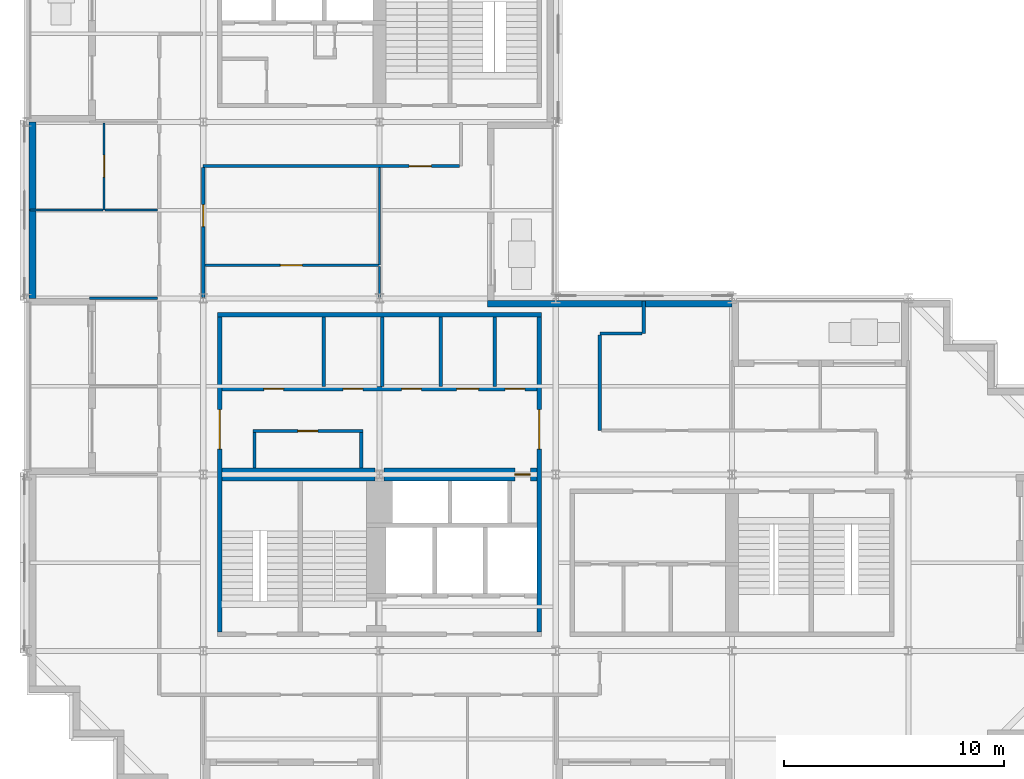
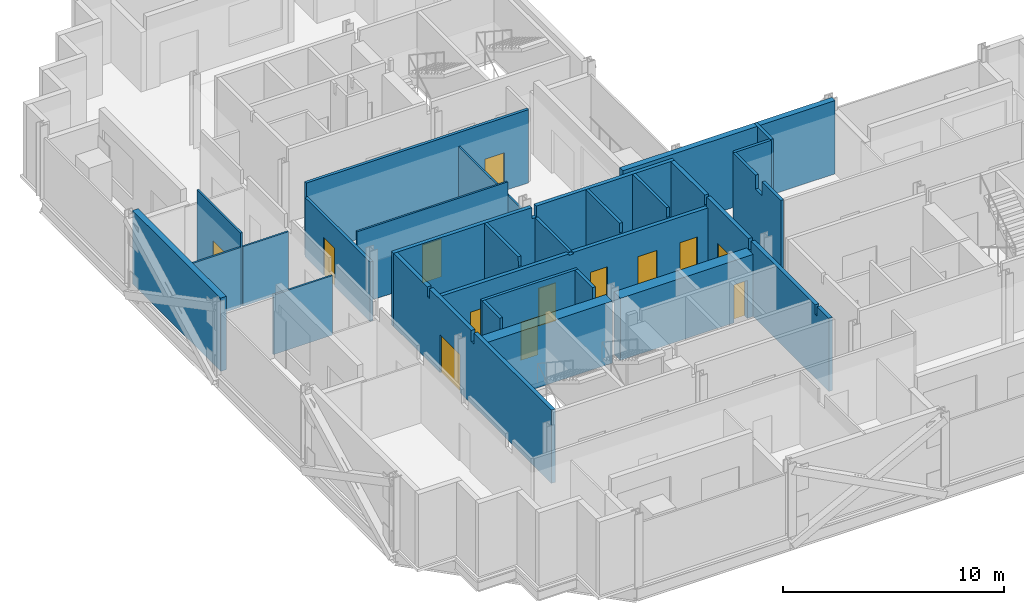
# One storey, part 6 of 12: 27 walls, 13 doors, 13 openings.
"""IFC4 building model written with IfcOpenShell, lengths in metres."""

from ifc_helpers import new_model, si_unit, direction, frame, frame_2d, origin, place, context, subcontext, project, spatial, polyline, rectangle, outline, extrude, material, layer, layer_set, type_object, element, fill, save


model = new_model("IFC4")

# Units and contexts
model_context = context("Model", 3, precision=1e-05, world=origin(), true_north=direction((0.0, 1.0)))
body_context = subcontext(model_context, "Body", "Model", "MODEL_VIEW")
ifc_project = project(units=[si_unit("LENGTHUNIT", "METRE"), si_unit("AREAUNIT", "SQUARE_METRE"), si_unit("VOLUMEUNIT", "CUBIC_METRE"), si_unit("PLANEANGLEUNIT", "RADIAN"), si_unit("MASSUNIT", "GRAM", prefix="KILO")], contexts=[model_context])

# Site, building, storey
site_placement = place(None, origin())
site = spatial("IfcSite", under=ifc_project, at=site_placement, CompositionType="ELEMENT")
building_placement = place(site_placement, origin())
building = spatial("IfcBuilding", under=site, at=building_placement, Name="Immortelle Media Tower", CompositionType="ELEMENT")
storey_placement = place(building_placement, frame((0.0, 0.0, 145.199951171875)))
storey = spatial("IfcBuildingStorey", under=building, at=storey_placement, Name="L29", CompositionType="ELEMENT", Elevation=145.199951171875)

# Wall, opening, door
ifc_material_1 = material(Name="Fire-rated masonry blockwork", Category="masonry")
ifc_layer_1 = layer(ifc_material_1, 0.60009765625)
ifc_layer_set_1 = layer_set([ifc_layer_1], Name="Fire-rated masonry blockwork")
wall_type_1 = type_object("IfcWallType", Name="Core grid-line wall 600", PredefinedType="PARTITIONING", material=ifc_layer_set_1)
wall_1_placement = place(storey_placement, frame((16.21044921875, 16.0, 0.0), z_axis=(0.0, 0.0, 1.0), x_axis=(1.0, 0.0, 0.0)))
wall_1 = element("IfcWall", 1, at=wall_1_placement, inside=storey, type_object=wall_type_1, Name="Core grid-line wall SW", PredefinedType="PARTITIONING", context=body_context, shape_type="SweptSolid", body=[
    extrude(rectangle(XDim=6.939453125, YDim=0.60009765625, at=frame_2d((3.4697265625, 0.0))), origin(), (0.0, 0.0, 1.0), 3.43212890625),
])
opening_1_placement = place(wall_1_placement, frame((6.639404296875, 0.0, 0.0), z_axis=(0.0, 0.0, 1.0), x_axis=(-1.0, 0.0, 0.0)))
opening_1 = element("IfcOpeningElement", 2, at=opening_1_placement, cuts=wall_1, Name="Opening C3-K015", PredefinedType="OPENING", context=body_context, shape_type="SweptSolid", body=[
    extrude(rectangle(XDim=0.699951171875, YDim=2.10009765625, at=frame_2d((0.35009765625, 1.050048828125))), frame((0.0, 0.31005859375, 0.0), z_axis=(0.0, -1.0, 0.0), x_axis=(1.0, 0.0, 0.0)), (0.0, 0.0, 1.0), 0.6201171875),
])
ifc_material_2 = material(Name="Galvanised steel door leaf and frame ASTM A653", Category="steel")
door_type_1 = type_object("IfcDoorType", Name="Service door 700 x 2100", OperationType="NOTDEFINED", PredefinedType="NOTDEFINED", material=ifc_material_2)
door_1_placement = place(opening_1_placement, origin())
door_1 = element("IfcDoor", 3, at=door_1_placement, inside=storey, type_object=door_type_1, Name="Service C3-K015", OperationType="SINGLE_SWING_LEFT", OverallHeight=2.10009765625, OverallWidth=0.699951171875, PredefinedType="NOTDEFINED", context=body_context, shape_type="SweptSolid", body=[
    extrude(rectangle(XDim=0.699951171875, YDim=2.10009765625, at=frame_2d((0.35009765625, 1.050048828125))), frame((0.0, 0.02490234375, 0.0), z_axis=(0.0, -1.0, 0.0), x_axis=(1.0, 0.0, 0.0)), (0.0, 0.0, 1.0), 0.050048828125),
])
fill(opening_1, door_1)

# Wall
ifc_material_3 = material(Name="Fire-rated gypsum board", Category="gypsum")
ifc_layer_2 = layer(ifc_material_3, 0.02490234375)
ifc_material_4 = material(Name="Steel ASTM A653 SS Gr 50 stud frame with mineral wool", Category="steel")
ifc_layer_3 = layer(ifc_material_4, 0.10009765625)
ifc_layer_4 = layer(ifc_material_3, 0.02490234375)
ifc_layer_set_2 = layer_set([ifc_layer_2, ifc_layer_3, ifc_layer_4], Name="Steel ASTM A653 SS Gr 50 stud frame with mineral wool")
wall_type_2 = type_object("IfcWallType", Name="Core partition 150", PredefinedType="PARTITIONING", material=ifc_layer_set_2)
wall_2_placement = place(storey_placement, frame((10.324951171875, 16.300048828125, 0.0), z_axis=(0.0, 0.0, 1.0), x_axis=(0.0, 1.0, 0.0)))
element("IfcWall", 4, at=wall_2_placement, inside=storey, type_object=wall_type_2, Name="Core partition SW", PredefinedType="PARTITIONING", context=body_context, shape_type="SweptSolid", body=[
    extrude(rectangle(XDim=1.599853515625, YDim=0.14990234375, at=frame_2d((0.7998046875, 0.0))), origin(), (0.0, 0.0, 1.0), 4.050048828125),
])

# Wall, opening, door
wall_3_placement = place(storey_placement, frame((10.25, 17.97509765625, 0.0), z_axis=(0.0, 0.0, 1.0), x_axis=(1.0, 0.0, 0.0)))
wall_3 = element("IfcWall", 5, at=wall_3_placement, inside=storey, type_object=wall_type_2, Name="Core partition SW", PredefinedType="PARTITIONING", context=body_context, shape_type="SweptSolid", body=[
    extrude(rectangle(XDim=5.0, YDim=0.14990234375, at=frame_2d((2.5, 0.0))), origin(), (0.0, 0.0, 1.0), 4.050048828125),
])
opening_2_placement = place(wall_3_placement, frame((2.949951171875, 0.0, 0.0), z_axis=(0.0, 0.0, 1.0), x_axis=(-1.0, 0.0, 0.0)))
opening_2 = element("IfcOpeningElement", 6, at=opening_2_placement, cuts=wall_3, Name="Opening C3-K004", PredefinedType="OPENING", context=body_context, shape_type="SweptSolid", body=[
    extrude(rectangle(XDim=0.89990234375, YDim=2.10009765625, at=frame_2d((0.449951171875, 1.050048828125))), frame((0.0, 0.0849609375, 0.0), z_axis=(0.0, -1.0, 0.0), x_axis=(1.0, 0.0, 0.0)), (0.0, 0.0, 1.0), 0.169921875),
])
ifc_material_5 = material(Name="Timber", Category="wood")
door_type_2 = type_object("IfcDoorType", Name="Room door 900 x 2100", OperationType="NOTDEFINED", PredefinedType="NOTDEFINED", material=ifc_material_5)
door_2_placement = place(opening_2_placement, origin())
door_2 = element("IfcDoor", 7, at=door_2_placement, inside=storey, type_object=door_type_2, Name="Room C3-K004", OperationType="SINGLE_SWING_RIGHT", OverallHeight=2.10009765625, OverallWidth=0.89990234375, PredefinedType="NOTDEFINED", context=body_context, shape_type="SweptSolid", body=[
    extrude(rectangle(XDim=0.89990234375, YDim=2.10009765625, at=frame_2d((0.449951171875, 1.050048828125))), frame((0.0, 0.02490234375, 0.0), z_axis=(0.0, -1.0, 0.0), x_axis=(1.0, 0.0, 0.0)), (0.0, 0.0, 1.0), 0.050048828125),
])
fill(opening_2, door_2)

# Walls
wall_4_placement = place(storey_placement, frame((13.47509765625, 20.0, 0.0), z_axis=(0.0, 0.0, 1.0), x_axis=(0.0, 1.0, 0.0)))
element("IfcWall", 8, at=wall_4_placement, inside=storey, type_object=wall_type_2, Name="Core partition SW", PredefinedType="PARTITIONING", context=body_context, shape_type="SweptSolid", body=[
    extrude(outline(polyline([(0.0, 0.0), (3.14990234375, 0.0), (3.14990234375, 4.050048828125), (0.08740234375, 4.050048828125), (0.08642578125, 3.51806640625), (0.0, 3.51806640625), (0.0, 0.0)])), frame((0.0, 0.074951171875, 0.0), z_axis=(0.0, -1.0, 0.0), x_axis=(1.0, 0.0, 0.0)), (0.0, 0.0, 1.0), 0.14990234375),
])
wall_5_placement = place(storey_placement, frame((15.175048828125, 16.300048828125, 0.0), z_axis=(0.0, 0.0, 1.0), x_axis=(0.0, 1.0, 0.0)))
element("IfcWall", 9, at=wall_5_placement, inside=storey, type_object=wall_type_2, Name="Core partition SW", PredefinedType="PARTITIONING", context=body_context, shape_type="SweptSolid", body=[
    extrude(rectangle(XDim=1.599853515625, YDim=0.14990234375, at=frame_2d((0.7998046875, 0.0))), origin(), (0.0, 0.0, 1.0), 4.050048828125),
])
wall_6_placement = place(storey_placement, frame((16.125, 20.0, 0.0), z_axis=(0.0, 0.0, 1.0), x_axis=(0.0, 1.0, 0.0)))
element("IfcWall", 10, at=wall_6_placement, inside=storey, type_object=wall_type_2, Name="Core partition SW", PredefinedType="PARTITIONING", context=body_context, shape_type="SweptSolid", body=[
    extrude(rectangle(XDim=3.14990234375, YDim=0.14990234375, at=frame_2d((1.574951171875, 0.0))), origin(), (0.0, 0.0, 1.0), 3.43212890625),
])
for number, where, z_axis, x_axis, name in (
    (11, (18.77490234375, 20.0, 0.0), (0.0, 0.0, 1.0), (0.0, 1.0, 0.0), "Core partition SW"),
    (12, (21.22509765625, 20.0, 0.0), (0.0, 0.0, 1.0), (0.0, 1.0, 0.0), "Core partition SW"),
):
    element("IfcWall", number, at=place(storey_placement, frame(where, z_axis=z_axis, x_axis=x_axis)), inside=storey, type_object=wall_type_2, Name=name, PredefinedType="PARTITIONING", context=body_context, shape_type="SweptSolid", body=[
        extrude(outline(polyline([(0.0, 0.0), (3.14990234375, 0.0), (3.14990234375, 4.050048828125), (0.08740234375, 4.050048828125), (0.08642578125, 3.51806640625), (0.0, 3.51806640625), (0.0, 0.0)])), frame((0.0, 0.074951171875, 0.0), z_axis=(0.0, -1.0, 0.0), x_axis=(1.0, 0.0, 0.0)), (0.0, 0.0, 1.0), 0.14990234375),
    ])
ifc_layer_5 = layer(ifc_material_3, 0.03759765625)
ifc_layer_6 = layer(ifc_material_4, 0.125)
ifc_layer_7 = layer(ifc_material_3, 0.03759765625)
ifc_layer_set_3 = layer_set([ifc_layer_5, ifc_layer_6, ifc_layer_7], Name="Steel ASTM A653 SS Gr 50 stud frame with mineral wool")
wall_type_3 = type_object("IfcWallType", Name="Core shaft wall 200", PredefinedType="PARTITIONING", material=ifc_layer_set_3)
wall_7_placement = place(storey_placement, frame((8.64990234375, 23.25, 0.0), z_axis=(0.0, 0.0, 1.0), x_axis=(1.0, 0.0, 0.0)))
element("IfcWall", 13, at=wall_7_placement, inside=storey, type_object=wall_type_3, Name="Core shaft wall SW", PredefinedType="PARTITIONING", context=body_context, shape_type="SweptSolid", body=[
    extrude(outline(polyline([(0.0, 0.0), (14.7001953125, 0.0), (14.699951171875, 4.050048828125), (7.469482421875, 4.050048828125), (7.468505859375, 3.43212890625), (7.2314453125, 3.43212890625), (7.23046875, 4.050048828125), (0.0, 4.050048828125), (0.0, 0.0)])), frame((0.0, 0.10009765625, 0.0), z_axis=(0.0, -1.0, 0.0), x_axis=(1.0, 0.0, 0.0)), (0.0, 0.0, 1.0), 0.199951171875),
])

# Wall, openings, doors
wall_8_placement = place(storey_placement, frame((8.85009765625, 19.89990234375, 0.0), z_axis=(0.0, 0.0, 1.0), x_axis=(1.0, 0.0, 0.0)))
wall_8 = element("IfcWall", 14, at=wall_8_placement, inside=storey, type_object=wall_type_3, Name="Core shaft wall SW", PredefinedType="PARTITIONING", context=body_context, shape_type="SweptSolid", body=[
    extrude(outline(polyline([(0.0, 0.0), (14.2998046875, 0.0), (14.300048828125, 3.51806640625), (7.26953125, 3.51806640625), (7.2685546875, 3.43212890625), (7.031494140625, 3.43212890625), (7.030517578125, 3.51806640625), (0.0, 3.51806640625), (0.0, 0.0)])), frame((0.0, 0.10009765625, 0.0), z_axis=(0.0, -1.0, 0.0), x_axis=(1.0, 0.0, 0.0)), (0.0, 0.0, 1.0), 0.199951171875),
])
opening_3_placement = place(wall_8_placement, frame((1.89990234375, 0.0, 0.0)))
opening_3 = element("IfcOpeningElement", 15, at=opening_3_placement, cuts=wall_8, Name="Opening C3-K003", PredefinedType="OPENING", context=body_context, shape_type="SweptSolid", body=[
    extrude(rectangle(XDim=0.89990234375, YDim=2.10009765625, at=frame_2d((0.449951171875, 1.050048828125))), frame((0.0, 0.10986328125, 0.0), z_axis=(0.0, -1.0, 0.0), x_axis=(1.0, 0.0, 0.0)), (0.0, 0.0, 1.0), 0.219970703125),
])
opening_4_placement = place(wall_8_placement, frame((5.5, 0.0, 0.0)))
opening_4 = element("IfcOpeningElement", 16, at=opening_4_placement, cuts=wall_8, Name="Opening C3-K006", PredefinedType="OPENING", context=body_context, shape_type="SweptSolid", body=[
    extrude(rectangle(XDim=0.89990234375, YDim=2.10009765625, at=frame_2d((0.449951171875, 1.050048828125))), frame((0.0, 0.10986328125, 0.0), z_axis=(0.0, -1.0, 0.0), x_axis=(1.0, 0.0, 0.0)), (0.0, 0.0, 1.0), 0.219970703125),
])
opening_5_placement = place(wall_8_placement, frame((8.14990234375, 0.0, 0.0)))
opening_5 = element("IfcOpeningElement", 17, at=opening_5_placement, cuts=wall_8, Name="Opening C3-K009", PredefinedType="OPENING", context=body_context, shape_type="SweptSolid", body=[
    extrude(rectangle(XDim=0.89990234375, YDim=2.10009765625, at=frame_2d((0.449951171875, 1.050048828125))), frame((0.0, 0.10986328125, 0.0), z_axis=(0.0, -1.0, 0.0), x_axis=(1.0, 0.0, 0.0)), (0.0, 0.0, 1.0), 0.219970703125),
])
opening_6_placement = place(wall_8_placement, frame((10.64990234375, 0.0, 0.0)))
opening_6 = element("IfcOpeningElement", 18, at=opening_6_placement, cuts=wall_8, Name="Opening C3-K012", PredefinedType="OPENING", context=body_context, shape_type="SweptSolid", body=[
    extrude(rectangle(XDim=1.0, YDim=2.10009765625, at=frame_2d((0.5, 1.050048828125))), frame((0.0, 0.10986328125, 0.0), z_axis=(0.0, -1.0, 0.0), x_axis=(1.0, 0.0, 0.0)), (0.0, 0.0, 1.0), 0.219970703125),
])
opening_7_placement = place(wall_8_placement, frame((12.85009765625, 0.0, 0.0)))
opening_7 = element("IfcOpeningElement", 19, at=opening_7_placement, cuts=wall_8, Name="Opening C3-K014", PredefinedType="OPENING", context=body_context, shape_type="SweptSolid", body=[
    extrude(rectangle(XDim=0.89990234375, YDim=2.10009765625, at=frame_2d((0.449951171875, 1.050048828125))), frame((0.0, 0.10986328125, 0.0), z_axis=(0.0, -1.0, 0.0), x_axis=(1.0, 0.0, 0.0)), (0.0, 0.0, 1.0), 0.219970703125),
])
door_type_3 = type_object("IfcDoorType", Name="Accessible toilet door 1000 x 2100", OperationType="NOTDEFINED", PredefinedType="NOTDEFINED", material=ifc_material_5)
door_3_placement = place(opening_6_placement, origin())
door_3 = element("IfcDoor", 20, at=door_3_placement, inside=storey, type_object=door_type_3, Name="Accessible toilet C3-K012", OperationType="SINGLE_SWING_LEFT", OverallHeight=2.10009765625, OverallWidth=1.0, PredefinedType="NOTDEFINED", context=body_context, shape_type="SweptSolid", body=[
    extrude(rectangle(XDim=1.0, YDim=2.10009765625, at=frame_2d((0.5, 1.050048828125))), frame((0.0, 0.02490234375, 0.0), z_axis=(0.0, -1.0, 0.0), x_axis=(1.0, 0.0, 0.0)), (0.0, 0.0, 1.0), 0.050048828125),
])
fill(opening_6, door_3)
door_4_placement = place(opening_3_placement, origin())
door_4 = element("IfcDoor", 21, at=door_4_placement, inside=storey, type_object=door_type_2, Name="Room C3-K003", OperationType="SINGLE_SWING_LEFT", OverallHeight=2.10009765625, OverallWidth=0.89990234375, PredefinedType="NOTDEFINED", context=body_context, shape_type="SweptSolid", body=[
    extrude(rectangle(XDim=0.89990234375, YDim=2.10009765625, at=frame_2d((0.449951171875, 1.050048828125))), frame((0.0, 0.02490234375, 0.0), z_axis=(0.0, -1.0, 0.0), x_axis=(1.0, 0.0, 0.0)), (0.0, 0.0, 1.0), 0.050048828125),
])
fill(opening_3, door_4)
door_5_placement = place(opening_7_placement, origin())
door_5 = element("IfcDoor", 22, at=door_5_placement, inside=storey, type_object=door_type_2, Name="Room C3-K014", OperationType="SINGLE_SWING_LEFT", OverallHeight=2.10009765625, OverallWidth=0.89990234375, PredefinedType="NOTDEFINED", context=body_context, shape_type="SweptSolid", body=[
    extrude(rectangle(XDim=0.89990234375, YDim=2.10009765625, at=frame_2d((0.449951171875, 1.050048828125))), frame((0.0, 0.02490234375, 0.0), z_axis=(0.0, -1.0, 0.0), x_axis=(1.0, 0.0, 0.0)), (0.0, 0.0, 1.0), 0.050048828125),
])
fill(opening_7, door_5)
door_type_4 = type_object("IfcDoorType", Name="Toilet door 900 x 2100", OperationType="NOTDEFINED", PredefinedType="NOTDEFINED", material=ifc_material_5)
door_6_placement = place(opening_4_placement, origin())
door_6 = element("IfcDoor", 23, at=door_6_placement, inside=storey, type_object=door_type_4, Name="Toilet C3-K006", OperationType="SINGLE_SWING_LEFT", OverallHeight=2.10009765625, OverallWidth=0.89990234375, PredefinedType="NOTDEFINED", context=body_context, shape_type="SweptSolid", body=[
    extrude(rectangle(XDim=0.89990234375, YDim=2.10009765625, at=frame_2d((0.449951171875, 1.050048828125))), frame((0.0, 0.02490234375, 0.0), z_axis=(0.0, -1.0, 0.0), x_axis=(1.0, 0.0, 0.0)), (0.0, 0.0, 1.0), 0.050048828125),
])
fill(opening_4, door_6)
door_7_placement = place(opening_5_placement, origin())
door_7 = element("IfcDoor", 24, at=door_7_placement, inside=storey, type_object=door_type_4, Name="Toilet C3-K009", OperationType="SINGLE_SWING_LEFT", OverallHeight=2.10009765625, OverallWidth=0.89990234375, PredefinedType="NOTDEFINED", context=body_context, shape_type="SweptSolid", body=[
    extrude(rectangle(XDim=0.89990234375, YDim=2.10009765625, at=frame_2d((0.449951171875, 1.050048828125))), frame((0.0, 0.02490234375, 0.0), z_axis=(0.0, -1.0, 0.0), x_axis=(1.0, 0.0, 0.0)), (0.0, 0.0, 1.0), 0.050048828125),
])
fill(opening_5, door_7)

# Wall, opening, door
wall_9_placement = place(storey_placement, frame((23.25, 8.85009765625, 0.0), z_axis=(0.0, 0.0, 1.0), x_axis=(0.0, 1.0, 0.0)))
wall_9 = element("IfcWall", 25, at=wall_9_placement, inside=storey, type_object=wall_type_3, Name="Core shaft wall SW", PredefinedType="PARTITIONING", context=body_context, shape_type="SweptSolid", body=[
    extrude(outline(polyline([(0.0, 0.0), (14.2998046875, 0.0), (14.300048828125, 4.050048828125), (11.237548828125, 4.050048828125), (11.236572265625, 3.51806640625), (11.0634765625, 3.51806640625), (11.0625, 4.050048828125), (7.26953125, 4.050048828125), (7.2685546875, 3.43212890625), (7.031494140625, 3.43212890625), (7.030517578125, 4.050048828125), (1.237548828125, 4.050048828125), (1.236572265625, 3.51806640625), (1.0634765625, 3.51806640625), (1.0625, 4.050048828125), (0.0, 4.050048828125), (0.0, 0.0)])), frame((0.0, 0.10009765625, 0.0), z_axis=(0.0, -1.0, 0.0), x_axis=(1.0, 0.0, 0.0)), (0.0, 0.0, 1.0), 0.199951171875),
])
opening_8_placement = place(wall_9_placement, frame((8.300048828125, 0.0, 0.0)))
opening_8 = element("IfcOpeningElement", 26, at=opening_8_placement, cuts=wall_9, Name="Opening C3-K016", PredefinedType="OPENING", context=body_context, shape_type="SweptSolid", body=[
    extrude(rectangle(XDim=1.800048828125, YDim=2.10009765625, at=frame_2d((0.89990234375, 1.050048828125))), frame((0.0, 0.10986328125, 0.0), z_axis=(0.0, -1.0, 0.0), x_axis=(1.0, 0.0, 0.0)), (0.0, 0.0, 1.0), 0.219970703125),
])
door_type_5 = type_object("IfcDoorType", Name="Lift lobby door 1800 x 2100", OperationType="DOUBLE_DOOR_SINGLE_SWING", PredefinedType="NOTDEFINED", material=ifc_material_2)
door_8_placement = place(opening_8_placement, origin())
door_8 = element("IfcDoor", 27, at=door_8_placement, inside=storey, type_object=door_type_5, Name="Lift lobby C3-K016", OperationType="DOUBLE_DOOR_SINGLE_SWING", OverallHeight=2.10009765625, OverallWidth=1.800048828125, PredefinedType="NOTDEFINED", context=body_context, shape_type="SweptSolid", body=[
    extrude(rectangle(XDim=1.800048828125, YDim=2.10009765625, at=frame_2d((0.89990234375, 1.050048828125))), frame((0.0, 0.02490234375, 0.0), z_axis=(0.0, -1.0, 0.0), x_axis=(1.0, 0.0, 0.0)), (0.0, 0.0, 1.0), 0.050048828125),
])
fill(opening_8, door_8)

# Walls
ifc_layer_8 = layer(ifc_material_3, 0.012451171875)
ifc_layer_9 = layer(ifc_material_4, 0.125)
ifc_layer_10 = layer(ifc_material_3, 0.012451171875)
ifc_layer_set_4 = layer_set([ifc_layer_8, ifc_layer_9, ifc_layer_10], Name="Steel ASTM A653 SS Gr 50 stud frame with mineral wool")
wall_type_4 = type_object("IfcWallType", Name="Corridor wall 150", PredefinedType="PARTITIONING", material=ifc_layer_set_4)
wall_10_placement = place(storey_placement, frame((26.0, 18.0, 0.0), z_axis=(0.0, 0.0, 1.0), x_axis=(0.0, 1.0, 0.0)))
element("IfcWall", 28, at=wall_10_placement, inside=storey, type_object=wall_type_4, Name="Partition L29-012", PredefinedType="PARTITIONING", context=body_context, shape_type="SweptSolid", body=[
    extrude(outline(polyline([(0.0, 0.0), (4.324951171875, 0.0), (4.324951171875, 4.050048828125), (2.300048828125, 4.050048828125), (2.298095703125, 3.2880859375), (1.701904296875, 3.2880859375), (1.699951171875, 4.050048828125), (0.0, 4.050048828125), (0.0, 0.0)])), frame((0.0, 0.074951171875, 0.0), z_axis=(0.0, -1.0, 0.0), x_axis=(1.0, 0.0, 0.0)), (0.0, 0.0, 1.0), 0.14990234375),
])
wall_11_placement = place(storey_placement, frame((26.0, 22.39990234375, 0.0), z_axis=(0.0, 0.0, 1.0), x_axis=(1.0, 0.0, 0.0)))
element("IfcWall", 29, at=wall_11_placement, inside=storey, type_object=wall_type_4, Name="Partition L29-016", PredefinedType="PARTITIONING", context=body_context, shape_type="SweptSolid", body=[
    extrude(rectangle(XDim=1.925048828125, YDim=0.14990234375, at=frame_2d((0.96240234375, 0.0))), origin(), (0.0, 0.0, 1.0), 4.050048828125),
])
wall_12_placement = place(storey_placement, frame((28.0, 22.39990234375, 0.0), z_axis=(0.0, 0.0, 1.0), x_axis=(0.0, 1.0, 0.0)))
element("IfcWall", 30, at=wall_12_placement, inside=storey, type_object=wall_type_4, Name="Partition L29-017", PredefinedType="PARTITIONING", context=body_context, shape_type="SweptSolid", body=[
    extrude(rectangle(XDim=1.47021484375, YDim=0.14990234375, at=frame_2d((0.735107421875, 0.0))), origin(), (0.0, 0.0, 1.0), 4.050048828125),
])

# Wall, opening, door
wall_13_placement = place(storey_placement, frame((8.0, 24.030029296875, 0.0), z_axis=(0.0, 0.0, 1.0), x_axis=(0.0, 1.0, 0.0)))
wall_13 = element("IfcWall", 31, at=wall_13_placement, inside=storey, type_object=wall_type_4, Name="Partition L29-019", PredefinedType="PARTITIONING", context=body_context, shape_type="SweptSolid", body=[
    extrude(rectangle(XDim=5.89501953125, YDim=0.14990234375, at=frame_2d((2.947509765625, 0.0))), origin(), (0.0, 0.0, 1.0), 3.2880859375),
])
opening_9_placement = place(wall_13_placement, frame((4.219970703125, 0.0, 0.0), z_axis=(0.0, 0.0, 1.0), x_axis=(-1.0, 0.0, 0.0)))
opening_9 = element("IfcOpeningElement", 32, at=opening_9_placement, cuts=wall_13, Name="Opening C3-F011", PredefinedType="OPENING", context=body_context, shape_type="SweptSolid", body=[
    extrude(rectangle(XDim=1.0, YDim=2.10009765625, at=frame_2d((0.5, 1.050048828125))), frame((0.0, 0.0849609375, 0.0), z_axis=(0.0, -1.0, 0.0), x_axis=(1.0, 0.0, 0.0)), (0.0, 0.0, 1.0), 0.169921875),
])
ifc_material_6 = material(Name="Timber veneered door leaf, galvanised steel frame ASTM A653", Category="steel")
door_type_6 = type_object("IfcDoorType", Name="Room door 1000 x 2100", OperationType="NOTDEFINED", PredefinedType="DOOR", material=ifc_material_6)
door_9_placement = place(opening_9_placement, origin())
door_9 = element("IfcDoor", 33, at=door_9_placement, inside=storey, type_object=door_type_6, Name="Door C3-F011", OperationType="SINGLE_SWING_LEFT", OverallHeight=2.10009765625, OverallWidth=1.0, PredefinedType="DOOR", context=body_context, shape_type="SweptSolid", body=[
    extrude(rectangle(XDim=1.0, YDim=2.10009765625, at=frame_2d((0.5, 1.050048828125))), frame((0.0, 0.02490234375, 0.0), z_axis=(0.0, -1.0, 0.0), x_axis=(1.0, 0.0, 0.0)), (0.0, 0.0, 1.0), 0.050048828125),
])
fill(opening_9, door_9)

wall_14_placement = place(storey_placement, frame((8.0, 30.0, 0.0), z_axis=(0.0, 0.0, 1.0), x_axis=(1.0, 0.0, 0.0)))
wall_14 = element("IfcWall", 34, at=wall_14_placement, inside=storey, type_object=wall_type_4, Name="Partition L29-026", PredefinedType="PARTITIONING", context=body_context, shape_type="SweptSolid", body=[
    extrude(rectangle(XDim=11.625, YDim=0.14990234375, at=frame_2d((5.8125, 0.0))), origin(), (0.0, 0.0, 1.0), 4.050048828125),
])
opening_10_placement = place(wall_14_placement, frame((10.35009765625, 0.0, 0.0), z_axis=(0.0, 0.0, 1.0), x_axis=(-1.0, 0.0, 0.0)))
opening_10 = element("IfcOpeningElement", 35, at=opening_10_placement, cuts=wall_14, Name="Opening C3-F013", PredefinedType="OPENING", context=body_context, shape_type="SweptSolid", body=[
    extrude(rectangle(XDim=1.0, YDim=2.10009765625, at=frame_2d((0.5, 1.050048828125))), frame((0.0, 0.0849609375, 0.0), z_axis=(0.0, -1.0, 0.0), x_axis=(1.0, 0.0, 0.0)), (0.0, 0.0, 1.0), 0.169921875),
])
door_10_placement = place(opening_10_placement, origin())
door_10 = element("IfcDoor", 36, at=door_10_placement, inside=storey, type_object=door_type_6, Name="Door C3-F013", OperationType="SINGLE_SWING_RIGHT", OverallHeight=2.10009765625, OverallWidth=1.0, PredefinedType="DOOR", context=body_context, shape_type="SweptSolid", body=[
    extrude(rectangle(XDim=1.0, YDim=2.10009765625, at=frame_2d((0.5, 1.050048828125))), frame((0.0, 0.02490234375, 0.0), z_axis=(0.0, -1.0, 0.0), x_axis=(1.0, 0.0, 0.0)), (0.0, 0.0, 1.0), 0.050048828125),
])
fill(opening_10, door_10)

# Walls
ifc_material_7 = material(Name="Pale aluminium cladding panel", Category="aluminium")
ifc_layer_11 = layer(ifc_material_7, 0.030029296875)
ifc_layer_12 = layer(ifc_material_4, 0.257568359375)
ifc_material_8 = material(Name="Moisture-resistant gypsum board", Category="gypsum")
ifc_layer_13 = layer(ifc_material_8, 0.012451171875)
ifc_layer_set_5 = layer_set([ifc_layer_11, ifc_layer_12, ifc_layer_13], Name="Steel ASTM A653 SS Gr 50 stud frame with mineral wool")
wall_type_5 = type_object("IfcWallType", Name="Facade wall 300", PredefinedType="SOLIDWALL", material=ifc_layer_set_5)
wall_15_placement = place(storey_placement, frame((32.0, 23.75, 0.0), z_axis=(0.0, 0.0, 1.0), x_axis=(-1.0, 0.0, 0.0)))
element("IfcWall", 37, at=wall_15_placement, inside=storey, type_object=wall_type_5, Name="Facade wall L29 N20", PredefinedType="SOLIDWALL", context=body_context, shape_type="SweptSolid", body=[
    extrude(rectangle(XDim=11.10009765625, YDim=0.300048828125, at=frame_2d((5.550048828125, 0.0))), origin(), (0.0, 0.0, 1.0), 4.050048828125),
])
wall_16_placement = place(storey_placement, frame((0.25, 32.0, 0.0), z_axis=(0.0, 0.0, 1.0), x_axis=(0.0, -1.0, 0.0)))
element("IfcWall", 38, at=wall_16_placement, inside=storey, type_object=wall_type_5, Name="Facade wall L29 W35", PredefinedType="SOLIDWALL", context=body_context, shape_type="SweptSolid", body=[
    extrude(rectangle(XDim=8.0, YDim=0.300048828125, at=frame_2d((4.0, 0.0))), origin(), (0.0, 0.0, 1.0), 4.050048828125),
])
ifc_material_9 = material(Name="Gypsum board", Category="gypsum")
ifc_layer_14 = layer(ifc_material_9, 0.012451171875)
ifc_layer_15 = layer(ifc_material_4, 0.074951171875)
ifc_layer_16 = layer(ifc_material_9, 0.012451171875)
ifc_layer_set_6 = layer_set([ifc_layer_14, ifc_layer_15, ifc_layer_16], Name="Steel ASTM A653 SS Gr 50 stud frame with mineral wool")
wall_type_6 = type_object("IfcWallType", Name="Partition 100", PredefinedType="PARTITIONING", material=ifc_layer_set_6)
wall_17_placement = place(storey_placement, frame((2.830078125, 24.0, 0.0), z_axis=(0.0, 0.0, 1.0), x_axis=(1.0, 0.0, 0.0)))
element("IfcWall", 39, at=wall_17_placement, inside=storey, type_object=wall_type_6, Name="Partition L29-018", PredefinedType="PARTITIONING", context=body_context, shape_type="SweptSolid", body=[
    extrude(rectangle(XDim=3.094970703125, YDim=0.10009765625, at=frame_2d((1.54736328125, 0.0))), origin(), (0.0, 0.0, 1.0), 3.2880859375),
])
wall_18_placement = place(storey_placement, frame((16.0, 24.030029296875, 0.0), z_axis=(0.0, 0.0, 1.0), x_axis=(0.0, 1.0, 0.0)))
element("IfcWall", 40, at=wall_18_placement, inside=storey, type_object=wall_type_6, Name="Partition L29-020", PredefinedType="PARTITIONING", context=body_context, shape_type="SweptSolid", body=[
    extrude(rectangle(XDim=1.419921875, YDim=0.10009765625, at=frame_2d((0.7099609375, 0.0))), origin(), (0.0, 0.0, 1.0), 3.2880859375),
])

# Wall, opening, door
wall_19_placement = place(storey_placement, frame((8.074951171875, 25.5, 0.0), z_axis=(0.0, 0.0, 1.0), x_axis=(1.0, 0.0, 0.0)))
wall_19 = element("IfcWall", 41, at=wall_19_placement, inside=storey, type_object=wall_type_6, Name="Partition L29-021", PredefinedType="PARTITIONING", context=body_context, shape_type="SweptSolid", body=[
    extrude(rectangle(XDim=7.875, YDim=0.10009765625, at=frame_2d((3.9375, 0.0))), origin(), (0.0, 0.0, 1.0), 4.050048828125),
])
opening_11_placement = place(wall_19_placement, frame((4.425048828125, 0.0, 0.0), z_axis=(0.0, 0.0, 1.0), x_axis=(-1.0, 0.0, 0.0)))
opening_11 = element("IfcOpeningElement", 42, at=opening_11_placement, cuts=wall_19, Name="Opening C3-F012", PredefinedType="OPENING", context=body_context, shape_type="SweptSolid", body=[
    extrude(rectangle(XDim=1.0, YDim=2.10009765625, at=frame_2d((0.5, 1.050048828125))), frame((0.0, 0.06005859375, 0.0), z_axis=(0.0, -1.0, 0.0), x_axis=(1.0, 0.0, 0.0)), (0.0, 0.0, 1.0), 0.1201171875),
])
door_11_placement = place(opening_11_placement, origin())
door_11 = element("IfcDoor", 43, at=door_11_placement, inside=storey, type_object=door_type_6, Name="Door C3-F012", OperationType="SINGLE_SWING_RIGHT", OverallHeight=2.10009765625, OverallWidth=1.0, PredefinedType="DOOR", context=body_context, shape_type="SweptSolid", body=[
    extrude(rectangle(XDim=1.0, YDim=2.10009765625, at=frame_2d((0.5, 1.050048828125))), frame((0.0, 0.02490234375, 0.0), z_axis=(0.0, -1.0, 0.0), x_axis=(1.0, 0.0, 0.0)), (0.0, 0.0, 1.0), 0.050048828125),
])
fill(opening_11, door_11)

# Walls
wall_20_placement = place(storey_placement, frame((16.0, 25.5, 0.0), z_axis=(0.0, 0.0, 1.0), x_axis=(0.0, 1.0, 0.0)))
element("IfcWall", 44, at=wall_20_placement, inside=storey, type_object=wall_type_6, Name="Partition L29-022", PredefinedType="PARTITIONING", context=body_context, shape_type="SweptSolid", body=[
    extrude(rectangle(XDim=4.425048828125, YDim=0.10009765625, at=frame_2d((2.21240234375, 0.0))), origin(), (0.0, 0.0, 1.0), 3.2880859375),
])
wall_21_placement = place(storey_placement, frame((0.1298828125, 28.0, 0.0), z_axis=(0.0, 0.0, 1.0), x_axis=(1.0, 0.0, 0.0)))
element("IfcWall", 45, at=wall_21_placement, inside=storey, type_object=wall_type_6, Name="Partition L29-023", PredefinedType="PARTITIONING", context=body_context, shape_type="SweptSolid", body=[
    extrude(rectangle(XDim=3.320068359375, YDim=0.10009765625, at=frame_2d((1.66015625, 0.0))), origin(), (0.0, 0.0, 1.0), 3.2880859375),
])
wall_22_placement = place(storey_placement, frame((3.550048828125, 28.0, 0.0), z_axis=(0.0, 0.0, 1.0), x_axis=(1.0, 0.0, 0.0)))
element("IfcWall", 46, at=wall_22_placement, inside=storey, type_object=wall_type_6, Name="Partition L29-024", PredefinedType="PARTITIONING", context=body_context, shape_type="SweptSolid", body=[
    extrude(rectangle(XDim=2.375, YDim=0.10009765625, at=frame_2d((1.1875, 0.0))), origin(), (0.0, 0.0, 1.0), 3.2880859375),
])

# Wall, opening, door
wall_23_placement = place(storey_placement, frame((3.5, 28.0, 0.0), z_axis=(0.0, 0.0, 1.0), x_axis=(0.0, 1.0, 0.0)))
wall_23 = element("IfcWall", 47, at=wall_23_placement, inside=storey, type_object=wall_type_6, Name="Partition L29-025", PredefinedType="PARTITIONING", context=body_context, shape_type="SweptSolid", body=[
    extrude(rectangle(XDim=3.949951171875, YDim=0.10009765625, at=frame_2d((1.97509765625, 0.0))), origin(), (0.0, 0.0, 1.0), 4.050048828125),
])
opening_12_placement = place(wall_23_placement, frame((2.5, 0.0, 0.0), z_axis=(0.0, 0.0, 1.0), x_axis=(-1.0, 0.0, 0.0)))
opening_12 = element("IfcOpeningElement", 48, at=opening_12_placement, cuts=wall_23, Name="Opening C3-F016", PredefinedType="OPENING", context=body_context, shape_type="SweptSolid", body=[
    extrude(rectangle(XDim=1.0, YDim=2.10009765625, at=frame_2d((0.5, 1.050048828125))), frame((0.0, 0.06005859375, 0.0), z_axis=(0.0, -1.0, 0.0), x_axis=(1.0, 0.0, 0.0)), (0.0, 0.0, 1.0), 0.1201171875),
])
door_12_placement = place(opening_12_placement, origin())
door_12 = element("IfcDoor", 49, at=door_12_placement, inside=storey, type_object=door_type_6, Name="Door C3-F016", OperationType="SINGLE_SWING_LEFT", OverallHeight=2.10009765625, OverallWidth=1.0, PredefinedType="DOOR", context=body_context, shape_type="SweptSolid", body=[
    extrude(rectangle(XDim=1.0, YDim=2.10009765625, at=frame_2d((0.5, 1.050048828125))), frame((0.0, 0.02490234375, 0.0), z_axis=(0.0, -1.0, 0.0), x_axis=(1.0, 0.0, 0.0)), (0.0, 0.0, 1.0), 0.050048828125),
])
fill(opening_12, door_12)

ifc_material_10 = material(Name="Concrete C60", Category="concrete")
ifc_layer_17 = layer(ifc_material_10, 0.199951171875)
ifc_layer_set_7 = layer_set([ifc_layer_17], Name="Concrete C60")
wall_type_7 = type_object("IfcWallType", Name="Stair shaft wall 200", PredefinedType="PARTITIONING", material=ifc_layer_set_7)
wall_24_placement = place(storey_placement, frame((8.75, 8.85009765625, 0.0), z_axis=(0.0, 0.0, 1.0), x_axis=(0.0, 1.0, 0.0)))
wall_24 = element("IfcWall", 50, at=wall_24_placement, inside=storey, type_object=wall_type_7, Name="Stair shaft wall SW", PredefinedType="PARTITIONING", context=body_context, shape_type="SweptSolid", body=[
    extrude(outline(polyline([(0.0, 0.0), (14.2998046875, 0.0), (14.300048828125, 4.050048828125), (11.237548828125, 4.050048828125), (11.236572265625, 3.51806640625), (11.0634765625, 3.51806640625), (11.0625, 4.050048828125), (7.26953125, 4.050048828125), (7.2685546875, 3.43212890625), (7.031494140625, 3.43212890625), (7.030517578125, 4.050048828125), (0.0, 4.050048828125), (0.0, 0.0)])), frame((0.0, 0.10009765625, 0.0), z_axis=(0.0, -1.0, 0.0), x_axis=(1.0, 0.0, 0.0)), (0.0, 0.0, 1.0), 0.199951171875),
])
opening_13_placement = place(wall_24_placement, frame((8.300048828125, 0.0, 0.0)))
opening_13 = element("IfcOpeningElement", 51, at=opening_13_placement, cuts=wall_24, Name="Opening C3-K001", PredefinedType="OPENING", context=body_context, shape_type="SweptSolid", body=[
    extrude(rectangle(XDim=1.800048828125, YDim=2.10009765625, at=frame_2d((0.89990234375, 1.050048828125))), frame((0.0, 0.10986328125, 0.0), z_axis=(0.0, -1.0, 0.0), x_axis=(1.0, 0.0, 0.0)), (0.0, 0.0, 1.0), 0.219970703125),
])
door_13_placement = place(opening_13_placement, origin())
door_13 = element("IfcDoor", 52, at=door_13_placement, inside=storey, type_object=door_type_5, Name="Lift lobby C3-K001", OperationType="DOUBLE_DOOR_SINGLE_SWING", OverallHeight=2.10009765625, OverallWidth=1.800048828125, PredefinedType="NOTDEFINED", context=body_context, shape_type="SweptSolid", body=[
    extrude(rectangle(XDim=1.800048828125, YDim=2.10009765625, at=frame_2d((0.89990234375, 1.050048828125))), frame((0.0, 0.02490234375, 0.0), z_axis=(0.0, -1.0, 0.0), x_axis=(1.0, 0.0, 0.0)), (0.0, 0.0, 1.0), 0.050048828125),
])
fill(opening_13, door_13)

# Wall
ifc_layer_18 = layer(ifc_material_10, 0.60009765625)
ifc_layer_set_8 = layer_set([ifc_layer_18], Name="Concrete C60")
wall_type_8 = type_object("IfcWallType", Name="Stair shaft wall 600", PredefinedType="PARTITIONING", material=ifc_layer_set_8)
wall_25_placement = place(storey_placement, frame((8.85009765625, 16.0, 0.0), z_axis=(0.0, 0.0, 1.0), x_axis=(1.0, 0.0, 0.0)))
element("IfcWall", 53, at=wall_25_placement, inside=storey, type_object=wall_type_8, Name="Stair shaft wall SW", PredefinedType="PARTITIONING", context=body_context, shape_type="SweptSolid", body=[
    extrude(rectangle(XDim=6.939453125, YDim=0.60009765625, at=frame_2d((3.4697265625, 0.0))), origin(), (0.0, 0.0, 1.0), 3.43212890625),
])

save(model, "model.ifc")
